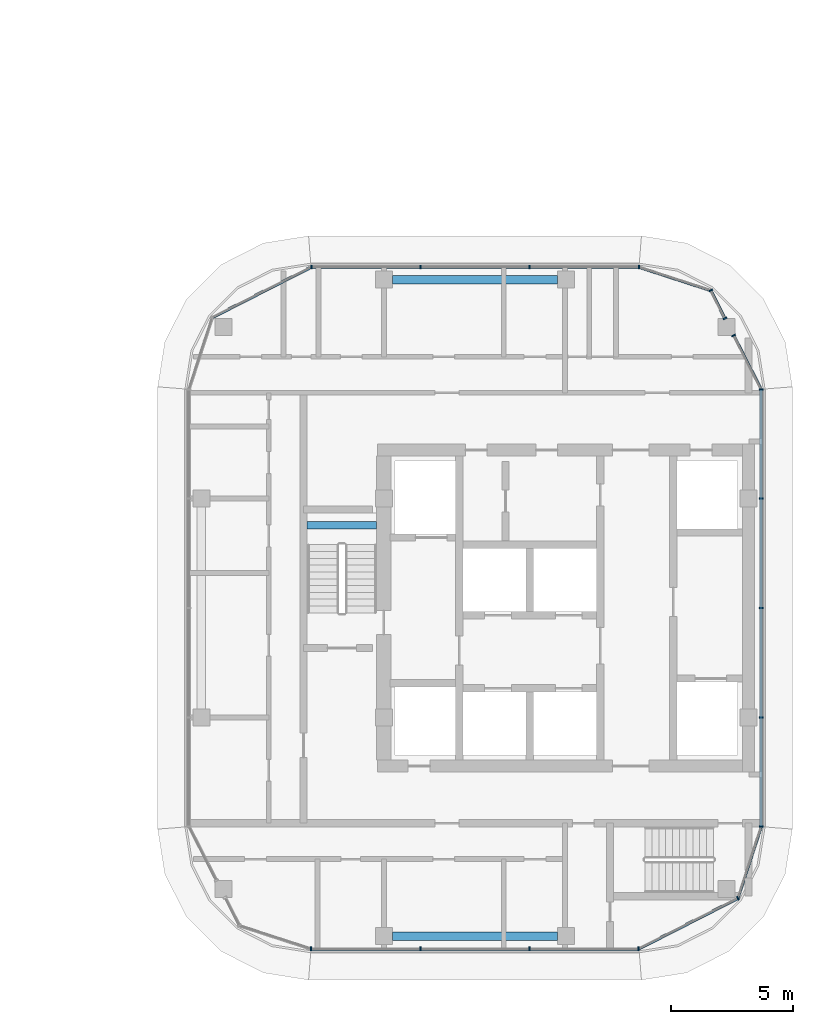
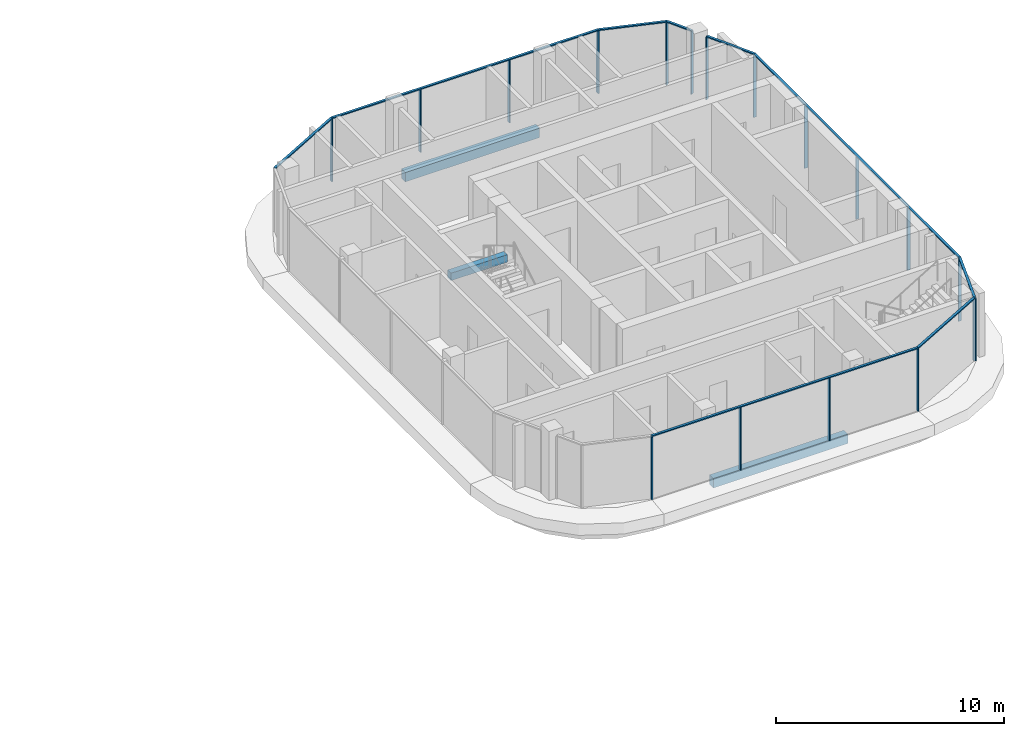
# One storey, part 9 of 33: 26 members, 3 beams, 7 elements without a shape of their own.
"""IFC4 building model written with IfcOpenShell, lengths in metres."""

from ifc_helpers import new_model, si_unit, direction, frame, origin, origin_2d, place, context, subcontext, project, spatial, rectangle, extrude, material, material_profile, profile_set, type_object, element, aggregate, save


model = new_model("IFC4")

# Units and contexts
model_context = context("Model", 3, precision=1e-05, world=origin(), true_north=direction((0.0, 1.0)))
body_context = subcontext(model_context, "Body", "Model", "MODEL_VIEW")
ifc_project = project(units=[si_unit("LENGTHUNIT", "METRE"), si_unit("AREAUNIT", "SQUARE_METRE"), si_unit("VOLUMEUNIT", "CUBIC_METRE"), si_unit("PLANEANGLEUNIT", "RADIAN"), si_unit("MASSUNIT", "GRAM", prefix="KILO")], contexts=[model_context])

# Site, building, storey
site_placement = place(None, origin())
site = spatial("IfcSite", under=ifc_project, at=site_placement, CompositionType="ELEMENT")
building_placement = place(site_placement, origin())
building = spatial("IfcBuilding", under=site, at=building_placement, Name="Ogive Portal Towers", CompositionType="ELEMENT")
storey_placement = place(building_placement, frame((0.0, 0.0, 98.199951171875)))
storey = spatial("IfcBuildingStorey", under=building, at=storey_placement, Name="L23", CompositionType="ELEMENT", Elevation=98.199951171875)

# Beam
ifc_material_1 = material(Name="Concrete C40/50", Category="concrete")
ifc_material_profile_1 = material_profile(ifc_material_1, rectangle(XDim=0.300048828125, YDim=0.39990234375, at=origin_2d()), Name="RC 300x400")
ifc_profile_set_1 = profile_set([ifc_material_profile_1], Name="Concrete C40/50")
beam_type_1 = type_object("IfcBeamType", Name="BEAM RC 300x400", PredefinedType="BEAM", material=ifc_profile_set_1)
beam_placement = place(storey_placement, frame((125.85009765625, 34.39990234375, 1.449951171875), z_axis=(1.0, 0.0, 0.0), x_axis=(0.0, 1.0, 0.0)))
element("IfcBeam", 1, at=beam_placement, inside=storey, type_object=beam_type_1, Name="Landing beam L23", PredefinedType="BEAM", context=body_context, shape_type="SweptSolid", body=[
    extrude(rectangle(XDim=0.300048828125, YDim=0.39990234375, at=origin_2d()), origin(), (0.0, 0.0, 1.0), 2.849853515625),
])

# Curtain wall, members
ifc_material_2 = material(Name="Glass, clear low-iron insulated glazing", Category="glass")
curtain_wall_type = type_object("IfcCurtainWallType", Name="CW RESIDENCES RIBBON", PredefinedType="NOTDEFINED", material=ifc_material_2)
curtain_wall_1_placement = place(storey_placement, origin())
curtain_wall_1 = element("IfcCurtainWall", 2, at=curtain_wall_1_placement, inside=storey, type_object=curtain_wall_type, Name="B:L23:f02:cw0", PredefinedType="NOTDEFINED")
ifc_material_3 = material(Name="Aluminium 6063 anodised", Category="aluminium")
ifc_material_profile_2 = material_profile(ifc_material_3, rectangle(XDim=0.159912109375, YDim=0.06005859375, at=origin_2d()), Name="AL 60x160")
ifc_profile_set_2 = profile_set([ifc_material_profile_2], Name="Aluminium 6063 anodised")
member_type_1 = type_object("IfcMemberType", Name="CW MULLION 60x160", PredefinedType="MULLION", material=ifc_profile_set_2)
member_1_placement = place(storey_placement, frame((126.0126953125, 16.97998046875, 0.0), z_axis=(0.0, 0.0, 1.0), x_axis=(0.0, 1.0, 0.0)))
member_1 = element("IfcMember", 3, at=member_1_placement, type_object=member_type_1, Name="mullion", PredefinedType="MULLION", context=body_context, shape_type="SweptSolid", body=[
    extrude(rectangle(XDim=0.159912109375, YDim=0.06005859375, at=origin_2d()), origin(), (0.0, 0.0, 1.0), 3.340087890625),
])
member_2_placement = place(storey_placement, frame((130.5, 16.97998046875, 0.0), z_axis=(0.0, 0.0, 1.0), x_axis=(0.0, 1.0, 0.0)))
member_2 = element("IfcMember", 4, at=member_2_placement, type_object=member_type_1, Name="mullion", PredefinedType="MULLION", context=body_context, shape_type="SweptSolid", body=[
    extrude(rectangle(XDim=0.159912109375, YDim=0.06005859375, at=origin_2d()), origin(), (0.0, 0.0, 1.0), 3.340087890625),
])
member_3_placement = place(storey_placement, frame((135.0, 16.97998046875, 0.0), z_axis=(0.0, 0.0, 1.0), x_axis=(0.0, 1.0, 0.0)))
member_3 = element("IfcMember", 5, at=member_3_placement, type_object=member_type_1, Name="mullion", PredefinedType="MULLION", context=body_context, shape_type="SweptSolid", body=[
    extrude(rectangle(XDim=0.159912109375, YDim=0.06005859375, at=origin_2d()), origin(), (0.0, 0.0, 1.0), 3.340087890625),
])
member_4_placement = place(storey_placement, frame((139.480712890625, 16.97998046875, 0.0), z_axis=(0.0, 0.0, 1.0), x_axis=(0.0, 1.0, 0.0)))
member_4 = element("IfcMember", 6, at=member_4_placement, type_object=member_type_1, Name="mullion", PredefinedType="MULLION", context=body_context, shape_type="SweptSolid", body=[
    extrude(rectangle(XDim=0.159912109375, YDim=0.06005859375, at=origin_2d()), origin(), (0.0, 0.0, 1.0), 3.340087890625),
])

curtain_wall_2_placement = place(storey_placement, origin())
curtain_wall_2 = element("IfcCurtainWall", 7, at=curtain_wall_2_placement, inside=storey, type_object=curtain_wall_type, Name="B:L23:f05:cw0", PredefinedType="NOTDEFINED")
member_5_placement = place(storey_placement, frame((144.52001953125, 22.0126953125, 0.0), z_axis=(0.0, 0.0, 1.0), x_axis=(-1.0, 0.0, 0.0)))
member_5 = element("IfcMember", 8, at=member_5_placement, type_object=member_type_1, Name="mullion", PredefinedType="MULLION", context=body_context, shape_type="SweptSolid", body=[
    extrude(rectangle(XDim=0.159912109375, YDim=0.06005859375, at=origin_2d()), origin(), (0.0, 0.0, 1.0), 3.340087890625),
])
member_6_placement = place(storey_placement, frame((144.52001953125, 26.5, 0.0), z_axis=(0.0, 0.0, 1.0), x_axis=(-1.0, 0.0, 0.0)))
member_6 = element("IfcMember", 9, at=member_6_placement, type_object=member_type_1, Name="mullion", PredefinedType="MULLION", context=body_context, shape_type="SweptSolid", body=[
    extrude(rectangle(XDim=0.159912109375, YDim=0.06005859375, at=origin_2d()), origin(), (0.0, 0.0, 1.0), 3.340087890625),
])
member_7_placement = place(storey_placement, frame((144.52001953125, 31.0, 0.0), z_axis=(0.0, 0.0, 1.0), x_axis=(-1.0, 0.0, 0.0)))
member_7 = element("IfcMember", 10, at=member_7_placement, type_object=member_type_1, Name="mullion", PredefinedType="MULLION", context=body_context, shape_type="SweptSolid", body=[
    extrude(rectangle(XDim=0.159912109375, YDim=0.06005859375, at=origin_2d()), origin(), (0.0, 0.0, 1.0), 3.340087890625),
])
member_8_placement = place(storey_placement, frame((144.52001953125, 35.5, 0.0), z_axis=(0.0, 0.0, 1.0), x_axis=(-1.0, 0.0, 0.0)))
member_8 = element("IfcMember", 11, at=member_8_placement, type_object=member_type_1, Name="mullion", PredefinedType="MULLION", context=body_context, shape_type="SweptSolid", body=[
    extrude(rectangle(XDim=0.159912109375, YDim=0.06005859375, at=origin_2d()), origin(), (0.0, 0.0, 1.0), 3.340087890625),
])
member_9_placement = place(storey_placement, frame((144.52001953125, 39.980712890625, 0.0), z_axis=(0.0, 0.0, 1.0), x_axis=(-1.0, 0.0, 0.0)))
member_9 = element("IfcMember", 12, at=member_9_placement, type_object=member_type_1, Name="mullion", PredefinedType="MULLION", context=body_context, shape_type="SweptSolid", body=[
    extrude(rectangle(XDim=0.159912109375, YDim=0.06005859375, at=origin_2d()), origin(), (0.0, 0.0, 1.0), 3.340087890625),
])

curtain_wall_3_placement = place(storey_placement, origin())
curtain_wall_3 = element("IfcCurtainWall", 13, at=curtain_wall_3_placement, inside=storey, type_object=curtain_wall_type, Name="B:L23:f08:cw0", PredefinedType="NOTDEFINED")
member_10_placement = place(storey_placement, frame((139.4873046875, 45.02001953125, 0.0), z_axis=(0.0, 0.0, 1.0), x_axis=(0.0, -1.0, 0.0)))
member_10 = element("IfcMember", 14, at=member_10_placement, type_object=member_type_1, Name="mullion", PredefinedType="MULLION", context=body_context, shape_type="SweptSolid", body=[
    extrude(rectangle(XDim=0.159912109375, YDim=0.06005859375, at=origin_2d()), origin(), (0.0, 0.0, 1.0), 3.340087890625),
])
member_11_placement = place(storey_placement, frame((135.0, 45.02001953125, 0.0), z_axis=(0.0, 0.0, 1.0), x_axis=(0.0, -1.0, 0.0)))
member_11 = element("IfcMember", 15, at=member_11_placement, type_object=member_type_1, Name="mullion", PredefinedType="MULLION", context=body_context, shape_type="SweptSolid", body=[
    extrude(rectangle(XDim=0.159912109375, YDim=0.06005859375, at=origin_2d()), origin(), (0.0, 0.0, 1.0), 3.340087890625),
])
member_12_placement = place(storey_placement, frame((130.5, 45.02001953125, 0.0), z_axis=(0.0, 0.0, 1.0), x_axis=(0.0, -1.0, 0.0)))
member_12 = element("IfcMember", 16, at=member_12_placement, type_object=member_type_1, Name="mullion", PredefinedType="MULLION", context=body_context, shape_type="SweptSolid", body=[
    extrude(rectangle(XDim=0.159912109375, YDim=0.06005859375, at=origin_2d()), origin(), (0.0, 0.0, 1.0), 3.340087890625),
])
member_13_placement = place(storey_placement, frame((126.019287109375, 45.02001953125, 0.0), z_axis=(0.0, 0.0, 1.0), x_axis=(0.0, -1.0, 0.0)))
member_13 = element("IfcMember", 17, at=member_13_placement, type_object=member_type_1, Name="mullion", PredefinedType="MULLION", context=body_context, shape_type="SweptSolid", body=[
    extrude(rectangle(XDim=0.159912109375, YDim=0.06005859375, at=origin_2d()), origin(), (0.0, 0.0, 1.0), 3.340087890625),
])

# Curtain wall, member
curtain_wall_4_placement = place(storey_placement, origin())
curtain_wall_4 = element("IfcCurtainWall", 18, at=curtain_wall_4_placement, inside=storey, type_object=curtain_wall_type, Name="B:L23:f03:cwa", PredefinedType="NOTDEFINED")
member_14_placement = place(storey_placement, frame((143.56005859375, 19.05859375, 0.0), z_axis=(0.0, 0.0, 1.0), x_axis=(-0.45399049974, 0.891006524188, 0.0)))
member_14 = element("IfcMember", 19, at=member_14_placement, type_object=member_type_1, Name="mullion", PredefinedType="MULLION", context=body_context, shape_type="SweptSolid", body=[
    extrude(rectangle(XDim=0.159912109375, YDim=0.06005859375, at=origin_2d()), origin(), (0.0, 0.0, 1.0), 3.340087890625),
])

curtain_wall_5_placement = place(storey_placement, origin())
curtain_wall_5 = element("IfcCurtainWall", 20, at=curtain_wall_5_placement, inside=storey, type_object=curtain_wall_type, Name="B:L23:f06:cwa~0", PredefinedType="NOTDEFINED")
member_15_placement = place(storey_placement, frame((143.38525390625, 42.2080078125, 0.0), z_axis=(0.0, 0.0, 1.0), x_axis=(-0.891006524188, -0.45399049974, 0.0)))
member_15 = element("IfcMember", 21, at=member_15_placement, type_object=member_type_1, Name="mullion", PredefinedType="MULLION", context=body_context, shape_type="SweptSolid", body=[
    extrude(rectangle(XDim=0.159912109375, YDim=0.06005859375, at=origin_2d()), origin(), (0.0, 0.0, 1.0), 3.340087890625),
])

# Curtain wall, members
curtain_wall_6_placement = place(storey_placement, origin())
curtain_wall_6 = element("IfcCurtainWall", 22, at=curtain_wall_6_placement, inside=storey, type_object=curtain_wall_type, Name="B:L23:f06:cwa~1", PredefinedType="NOTDEFINED")
member_16_placement = place(storey_placement, frame((143.028564453125, 42.907958984375, 0.0), z_axis=(0.0, 0.0, 1.0), x_axis=(-0.891006524188, -0.45399049974, 0.0)))
member_16 = element("IfcMember", 23, at=member_16_placement, type_object=member_type_1, Name="mullion", PredefinedType="MULLION", context=body_context, shape_type="SweptSolid", body=[
    extrude(rectangle(XDim=0.159912109375, YDim=0.06005859375, at=origin_2d()), origin(), (0.0, 0.0, 1.0), 3.340087890625),
])
member_17_placement = place(storey_placement, frame((142.44140625, 44.06005859375, 0.0), z_axis=(0.0, 0.0, 1.0), x_axis=(-0.891006524188, -0.45399049974, 0.0)))
member_17 = element("IfcMember", 24, at=member_17_placement, type_object=member_type_1, Name="mullion", PredefinedType="MULLION", context=body_context, shape_type="SweptSolid", body=[
    extrude(rectangle(XDim=0.159912109375, YDim=0.06005859375, at=origin_2d()), origin(), (0.0, 0.0, 1.0), 3.340087890625),
])

# Member
ifc_material_profile_3 = material_profile(ifc_material_3, rectangle(XDim=0.1201171875, YDim=0.06005859375, at=origin_2d()), Name="AL 120x60")
ifc_profile_set_3 = profile_set([ifc_material_profile_3], Name="Aluminium 6063 anodised")
member_type_2 = type_object("IfcMemberType", Name="CW TRANSOM 60x120", PredefinedType="USERDEFINED", material=ifc_profile_set_3)
member_18_placement = place(storey_placement, frame((126.0126953125, 16.97998046875, 3.3701171875), z_axis=(1.0, 0.0, 0.0), x_axis=(0.0, 1.0, 0.0)))
member_18 = element("IfcMember", 25, at=member_18_placement, type_object=member_type_2, Name="transom", ObjectType="TRANSOM", PredefinedType="USERDEFINED", context=body_context, shape_type="SweptSolid", body=[
    extrude(rectangle(XDim=0.1201171875, YDim=0.06005859375, at=origin_2d()), origin(), (0.0, 0.0, 1.0), 13.468017578125),
])

aggregate(curtain_wall_1, [member_18, member_1, member_2, member_3, member_4])

member_19_placement = place(storey_placement, frame((144.52001953125, 22.0126953125, 3.3701171875), z_axis=(0.0, 1.0, 0.0), x_axis=(-1.0, 0.0, 0.0)))
member_19 = element("IfcMember", 26, at=member_19_placement, type_object=member_type_2, Name="transom", ObjectType="TRANSOM", PredefinedType="USERDEFINED", context=body_context, shape_type="SweptSolid", body=[
    extrude(rectangle(XDim=0.1201171875, YDim=0.06005859375, at=origin_2d()), origin(), (0.0, 0.0, 1.0), 17.968017578125),
])

aggregate(curtain_wall_2, [member_19, member_5, member_6, member_7, member_8, member_9])

member_20_placement = place(storey_placement, frame((139.4873046875, 45.02001953125, 3.3701171875), z_axis=(-1.0, 0.0, 0.0), x_axis=(0.0, -1.0, 0.0)))
member_20 = element("IfcMember", 27, at=member_20_placement, type_object=member_type_2, Name="transom", ObjectType="TRANSOM", PredefinedType="USERDEFINED", context=body_context, shape_type="SweptSolid", body=[
    extrude(rectangle(XDim=0.1201171875, YDim=0.06005859375, at=origin_2d()), origin(), (0.0, 0.0, 1.0), 13.468017578125),
])

aggregate(curtain_wall_3, [member_20, member_10, member_11, member_12, member_13])

member_21_placement = place(storey_placement, frame((139.480712890625, 16.97998046875, 3.3701171875), z_axis=(0.890999206066, 0.454004862077, 0.0), x_axis=(-0.454004862077, 0.890999206066, 0.0)))
member_21 = element("IfcMember", 28, at=member_21_placement, type_object=member_type_2, Name="transom", ObjectType="TRANSOM", PredefinedType="USERDEFINED", context=body_context, shape_type="SweptSolid", body=[
    extrude(rectangle(XDim=0.1201171875, YDim=0.06005859375, at=origin_2d()), origin(), (0.0, 0.0, 1.0), 4.578369140625),
])

member_22_placement = place(storey_placement, frame((143.56005859375, 19.05859375, 3.3701171875), z_axis=(0.309050527153, 0.951045620181, 0.0), x_axis=(-0.951045620181, 0.309050527153, 0.0)))
member_22 = element("IfcMember", 29, at=member_22_placement, type_object=member_type_2, Name="transom", ObjectType="TRANSOM", PredefinedType="USERDEFINED", context=body_context, shape_type="SweptSolid", body=[
    extrude(rectangle(XDim=0.1201171875, YDim=0.06005859375, at=origin_2d()), origin(), (0.0, 0.0, 1.0), 3.106201171875),
])

aggregate(curtain_wall_4, [member_21, member_22, member_14])

member_23_placement = place(storey_placement, frame((144.52001953125, 39.980712890625, 3.3701171875), z_axis=(-0.453959432004, 0.891022353308, 0.0), x_axis=(-0.891022353308, -0.453959432004, 0.0)))
member_23 = element("IfcMember", 30, at=member_23_placement, type_object=member_type_2, Name="transom", ObjectType="TRANSOM", PredefinedType="USERDEFINED", context=body_context, shape_type="SweptSolid", body=[
    extrude(rectangle(XDim=0.1201171875, YDim=0.06005859375, at=origin_2d()), origin(), (0.0, 0.0, 1.0), 2.499755859375),
])

aggregate(curtain_wall_5, [member_23, member_15])

member_24_placement = place(storey_placement, frame((143.028564453125, 42.907958984375, 3.3701171875), z_axis=(-0.454072847858, 0.890964560933, 0.0), x_axis=(-0.890964560933, -0.454072847858, 0.0)))
member_24 = element("IfcMember", 31, at=member_24_placement, type_object=member_type_2, Name="transom", ObjectType="TRANSOM", PredefinedType="USERDEFINED", context=body_context, shape_type="SweptSolid", body=[
    extrude(rectangle(XDim=0.1201171875, YDim=0.06005859375, at=origin_2d()), origin(), (0.0, 0.0, 1.0), 1.293212890625),
])

member_25_placement = place(storey_placement, frame((142.44140625, 44.06005859375, 3.3701171875), z_axis=(-0.951045620181, 0.309050527153, 0.0), x_axis=(-0.309050527153, -0.951045620181, 0.0)))
member_25 = element("IfcMember", 32, at=member_25_placement, type_object=member_type_2, Name="transom", ObjectType="TRANSOM", PredefinedType="USERDEFINED", context=body_context, shape_type="SweptSolid", body=[
    extrude(rectangle(XDim=0.1201171875, YDim=0.06005859375, at=origin_2d()), origin(), (0.0, 0.0, 1.0), 3.106201171875),
])

aggregate(curtain_wall_6, [member_24, member_25, member_16, member_17])

# Curtain wall, member
curtain_wall_7_placement = place(storey_placement, origin())
curtain_wall_7 = element("IfcCurtainWall", 33, at=curtain_wall_7_placement, inside=storey, type_object=curtain_wall_type, Name="B:L23:f09:cwa", PredefinedType="NOTDEFINED")
member_26_placement = place(storey_placement, frame((126.019287109375, 45.02001953125, 3.3701171875), z_axis=(-0.890999206066, -0.454004862077, 0.0), x_axis=(0.454004862077, -0.890999206066, 0.0)))
member_26 = element("IfcMember", 34, at=member_26_placement, type_object=member_type_2, Name="transom", ObjectType="TRANSOM", PredefinedType="USERDEFINED", context=body_context, shape_type="SweptSolid", body=[
    extrude(rectangle(XDim=0.1201171875, YDim=0.06005859375, at=origin_2d()), origin(), (0.0, 0.0, 1.0), 4.578369140625),
])
aggregate(curtain_wall_7, [member_26])

# Beams
ifc_material_4 = material(Name="Concrete C50/60", Category="concrete")
ifc_material_profile_4 = material_profile(ifc_material_4, rectangle(XDim=0.35009765625, YDim=0.5, at=origin_2d()), Name="RC 350x500")
ifc_profile_set_4 = profile_set([ifc_material_profile_4], Name="Concrete C50/60")
beam_type_2 = type_object("IfcBeamType", Name="SPANDREL BEAM RC 350x500", PredefinedType="BEAM", material=ifc_profile_set_4)
for number, where, z_axis, x_axis, name in (
    (35, (129.35009765625, 17.5, -0.550048828125), (1.0, 0.0, 0.0), (0.0, 1.0, 0.0), "Spandrel beam L23"),
    (36, (136.14990234375, 44.5, -0.550048828125), (-1.0, 0.0, 0.0), (0.0, -1.0, 0.0), "Spandrel beam L23"),
):
    element("IfcBeam", number, at=place(storey_placement, frame(where, z_axis=z_axis, x_axis=x_axis)), inside=storey, type_object=beam_type_2, Name=name, PredefinedType="BEAM", context=body_context, shape_type="SweptSolid", body=[
        extrude(rectangle(XDim=0.35009765625, YDim=0.5, at=origin_2d()), origin(), (0.0, 0.0, 1.0), 6.7998046875),
    ])

save(model, "model.ifc")
